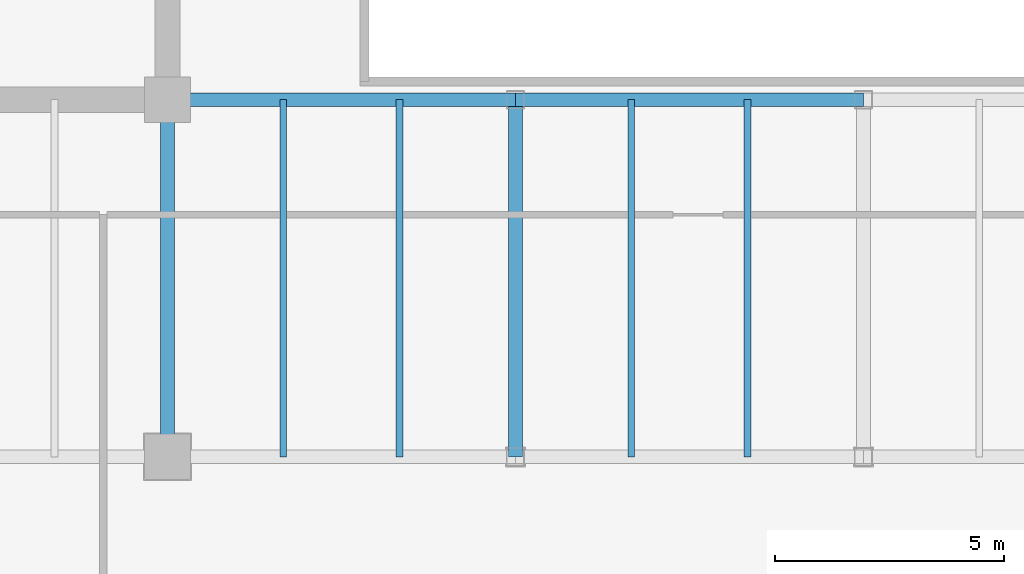
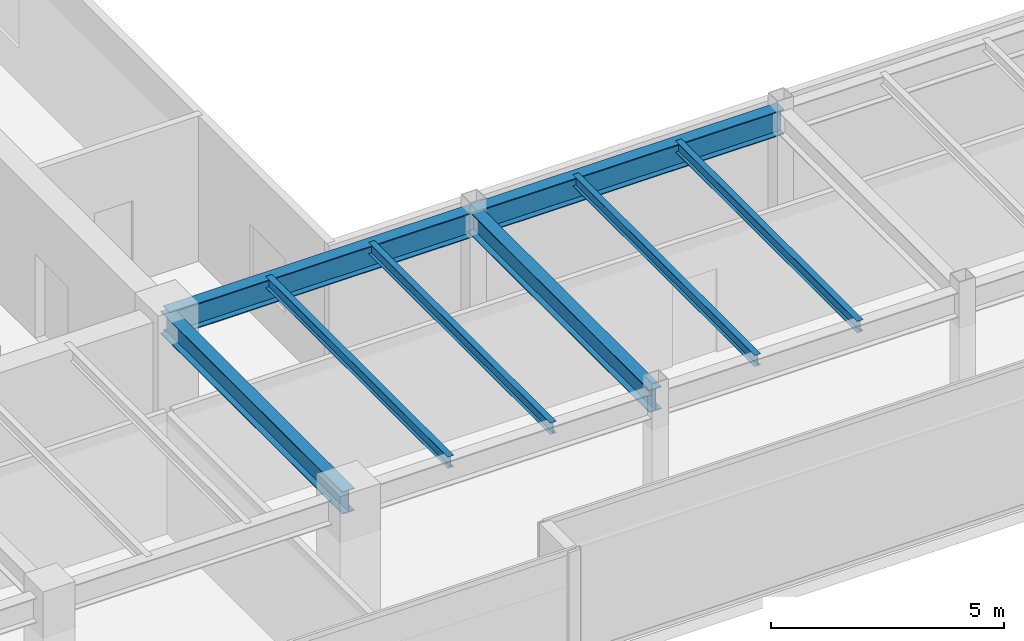
# One storey, part 8 of 35: 8 beams.
"""IFC4 building model written with IfcOpenShell, lengths in metres."""

from ifc_helpers import new_model, si_unit, direction, frame, origin, origin_2d, place, context, subcontext, project, spatial, i_section, extrude, source, transform, mapped, material, material_profile, profile_set, type_object, type_shapes, element, save


model = new_model("IFC4")

# Units and contexts
model_context = context("Model", 3, precision=1e-05, world=origin(), true_north=direction((0.0, 1.0)))
body_context = subcontext(model_context, "Body", "Model", "MODEL_VIEW")
ifc_project = project(units=[si_unit("LENGTHUNIT", "METRE"), si_unit("AREAUNIT", "SQUARE_METRE"), si_unit("VOLUMEUNIT", "CUBIC_METRE"), si_unit("PLANEANGLEUNIT", "RADIAN"), si_unit("MASSUNIT", "GRAM", prefix="KILO")], contexts=[model_context])

# Site, building, storey
site_placement = place(None, origin())
site = spatial("IfcSite", under=ifc_project, at=site_placement, CompositionType="ELEMENT")
building_placement = place(site_placement, origin())
building = spatial("IfcBuilding", under=site, at=building_placement, Name="Haelvirn Gate Laboratories", CompositionType="ELEMENT")
storey_placement = place(building_placement, frame((0.0, 0.0, 234.199951171875)))
storey = spatial("IfcBuildingStorey", under=building, at=storey_placement, Name="L56", CompositionType="ELEMENT", Elevation=234.199951171875)

# Beams
ifc_material = material(Name="Steel SM355", Category="steel")
ifc_material_profile_1 = material_profile(ifc_material, i_section(OverallWidth=0.14990234375, OverallDepth=0.300048828125, WebThickness=0.006591796875, FlangeThickness=0.009033203125, at=origin_2d()), Name="H-300x150x6.5x9")
ifc_profile_set_1 = profile_set([ifc_material_profile_1], Name="Steel SM355")
beam_type_1 = type_object("IfcBeamType", Name="BM-J-300", PredefinedType="JOIST", material=ifc_profile_set_1)
shared_shape_1 = source(origin(), body_context, "Body", "SweptSolid", [
    extrude(i_section(OverallWidth=0.14990234375, OverallDepth=0.300048828125, WebThickness=0.006591796875, FlangeThickness=0.009033203125, at=origin_2d()), origin(), (0.0, 0.0, 1.0), 7.800048828125),
])
type_shapes(beam_type_1, [shared_shape_1])
for number, where, z_axis, x_axis, name in (
    (1, (24.72998046875, 7.0, 3.650146484375), (0.0, 1.0, 0.0), (-1.0, 0.0, 0.0), "L56 Composite Lab Joist South X24.73"),
    (2, (27.27001953125, 7.0, 3.650146484375), (0.0, 1.0, 0.0), (-1.0, 0.0, 0.0), "L56 Composite Lab Joist South X27.27"),
    (3, (32.330078125, 7.0, 3.650146484375), (0.0, 1.0, 0.0), (-1.0, 0.0, 0.0), "L56 Composite Lab Joist South X32.33"),
    (4, (34.8701171875, 7.0, 3.650146484375), (0.0, 1.0, 0.0), (-1.0, 0.0, 0.0), "L56 Composite Lab Joist South X34.87"),
):
    element("IfcBeam", number, at=place(storey_placement, frame(where, z_axis=z_axis, x_axis=x_axis)), inside=storey, type_object=beam_type_1, Name=name, PredefinedType="JOIST", context=body_context, shape_type="MappedRepresentation", body=[
        mapped(shared_shape_1, transform((0.0, 0.0, 0.0), scale=1.0)),
    ])
ifc_material_profile_2 = material_profile(ifc_material, i_section(OverallWidth=0.300048828125, OverallDepth=0.587890625, WebThickness=0.011962890625, FlangeThickness=0.02001953125, at=origin_2d()), Name="H-588x300x12x20")
ifc_profile_set_2 = profile_set([ifc_material_profile_2], Name="Steel SM355")
beam_type_2 = type_object("IfcBeamType", Name="BM-G-588", PredefinedType="BEAM", material=ifc_profile_set_2)
shared_shape_2 = source(origin(), body_context, "Body", "SweptSolid", [
    extrude(i_section(OverallWidth=0.300048828125, OverallDepth=0.587890625, WebThickness=0.011962890625, FlangeThickness=0.02001953125, at=origin_2d()), origin(), (0.0, 0.0, 1.0), 7.800048828125),
])
type_shapes(beam_type_2, [shared_shape_2])
for number, where, z_axis, x_axis, name in (
    (5, (22.199951171875, 7.0, 3.506103515625), (0.0, 1.0, 0.0), (-1.0, 0.0, 0.0), "L56 Frame Girder X22.2 (7.0-14.8)"),
    (6, (29.800048828125, 7.0, 3.506103515625), (0.0, 1.0, 0.0), (-1.0, 0.0, 0.0), "L56 Frame Girder X29.8 (7.0-14.8)"),
):
    element("IfcBeam", number, at=place(storey_placement, frame(where, z_axis=z_axis, x_axis=x_axis)), inside=storey, type_object=beam_type_2, Name=name, PredefinedType="BEAM", context=body_context, shape_type="MappedRepresentation", body=[
        mapped(shared_shape_2, transform((0.0, 0.0, 0.0), scale=1.0)),
    ])
ifc_material_profile_3 = material_profile(ifc_material, i_section(OverallWidth=0.300048828125, OverallDepth=0.64990234375, WebThickness=0.012939453125, FlangeThickness=0.02197265625, at=origin_2d()), Name="H-650x300x13x22")
ifc_profile_set_3 = profile_set([ifc_material_profile_3], Name="Steel SM355")
beam_type_3 = type_object("IfcBeamType", Name="BM-G-650", PredefinedType="BEAM", material=ifc_profile_set_3)
shared_shape_3 = source(origin(), body_context, "Body", "SweptSolid", [
    extrude(i_section(OverallWidth=0.300048828125, OverallDepth=0.64990234375, WebThickness=0.012939453125, FlangeThickness=0.02197265625, at=origin_2d()), origin(), (0.0, 0.0, 1.0), 7.60009765625),
])
beam_1_placement = place(storey_placement, frame((22.199951171875, 14.800048828125, 3.47509765625), z_axis=(1.0, 0.0, 0.0), x_axis=(0.0, 1.0, 0.0)))
element("IfcBeam", 7, at=beam_1_placement, inside=storey, type_object=beam_type_3, Name="L56 Primary Girder Y14.8 (22.2-29.8)", PredefinedType="BEAM", context=body_context, shape_type="MappedRepresentation", body=[
    mapped(shared_shape_3, transform((0.0, 0.0, 0.0), scale=1.0)),
])
shared_shape_4 = source(origin(), body_context, "Body", "SweptSolid", [
    extrude(i_section(OverallWidth=0.300048828125, OverallDepth=0.64990234375, WebThickness=0.012939453125, FlangeThickness=0.02197265625, at=origin_2d()), origin(), (0.0, 0.0, 1.0), 7.599853515625),
])
type_shapes(beam_type_3, [shared_shape_3, shared_shape_4])
beam_2_placement = place(storey_placement, frame((29.800048828125, 14.800048828125, 3.47509765625), z_axis=(1.0, 0.0, 0.0), x_axis=(0.0, 1.0, 0.0)))
element("IfcBeam", 8, at=beam_2_placement, inside=storey, type_object=beam_type_3, Name="L56 Primary Girder Y14.8 (29.8-37.4)", PredefinedType="BEAM", context=body_context, shape_type="MappedRepresentation", body=[
    mapped(shared_shape_4, transform((0.0, 0.0, 0.0), scale=1.0)),
])

save(model, "model.ifc")
